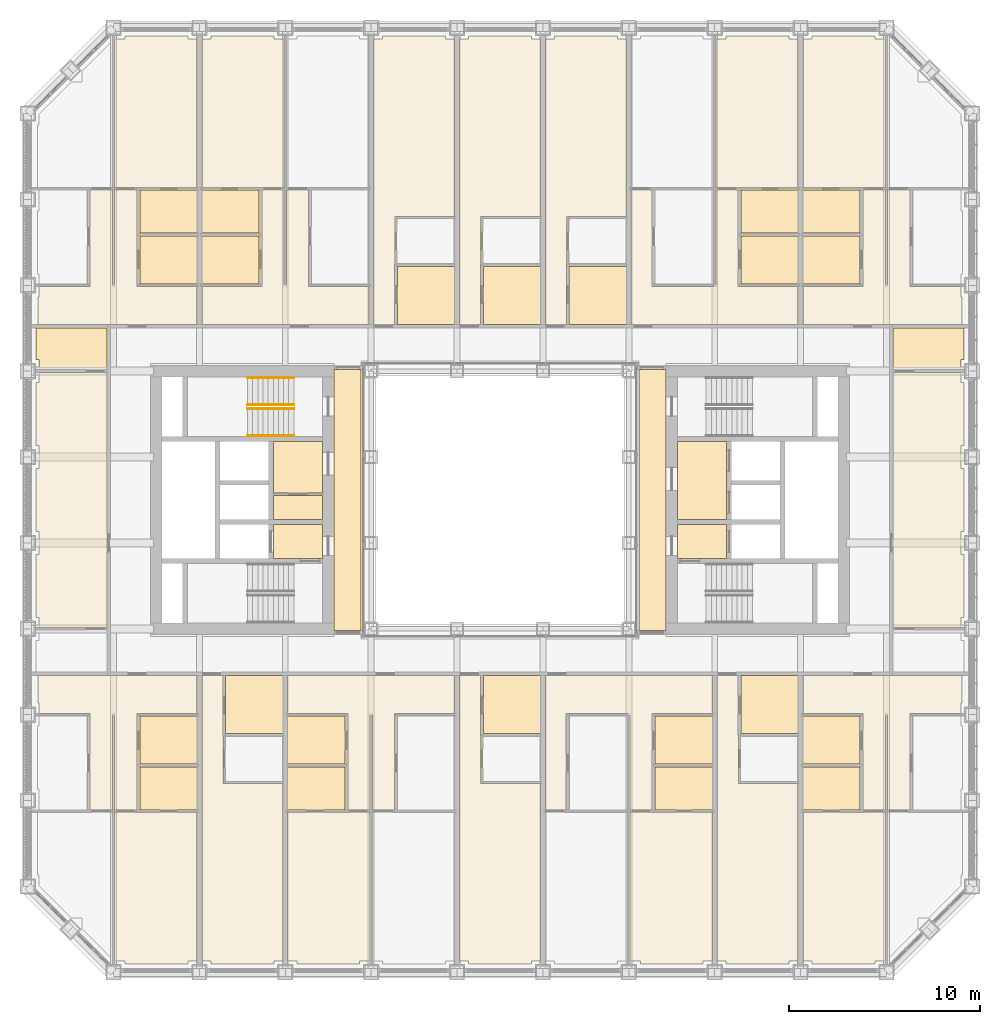
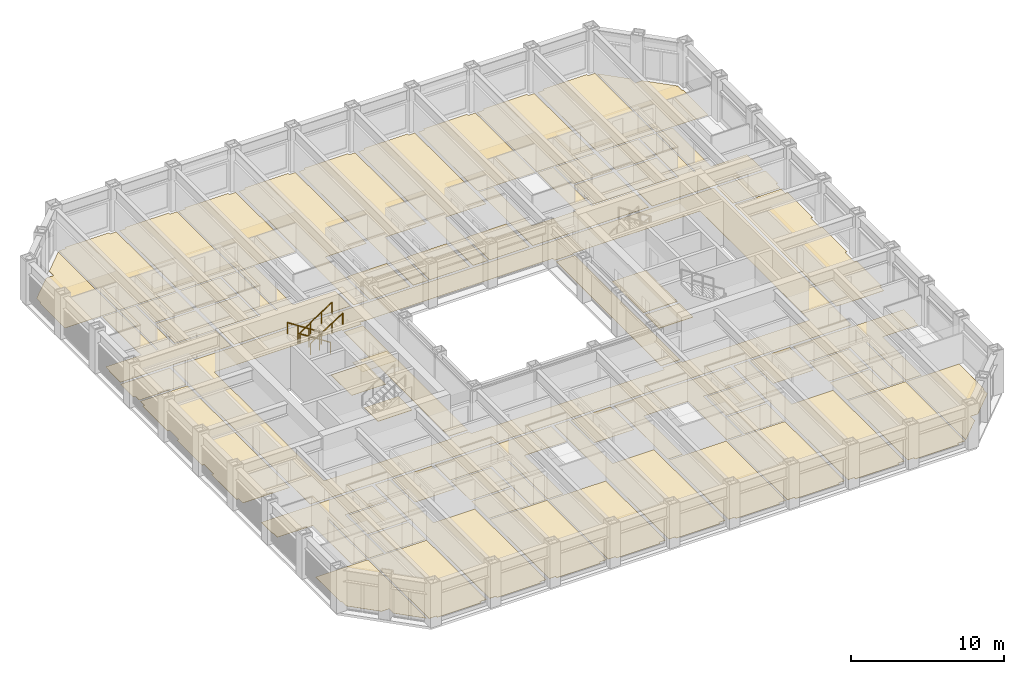
# One storey, part 18 of 21: 5 coverings, 4 railings.
"""IFC4 building model written with IfcOpenShell, lengths in metres."""

from ifc_helpers import new_model, si_unit, direction, frame, origin, origin_2d, place, context, subcontext, project, spatial, line, indexed_curve, circle, outline, extrude, material, layer, layer_set, type_object, element, save


model = new_model("IFC4")

# Units and contexts
model_context = context("Model", 3, precision=1e-05, world=origin(), true_north=direction((0.0, 1.0)))
body_context = subcontext(model_context, "Body", "Model", "MODEL_VIEW")
ifc_project = project(units=[si_unit("LENGTHUNIT", "METRE"), si_unit("AREAUNIT", "SQUARE_METRE"), si_unit("VOLUMEUNIT", "CUBIC_METRE"), si_unit("PLANEANGLEUNIT", "RADIAN"), si_unit("MASSUNIT", "GRAM", prefix="KILO")], contexts=[model_context])

# Site, building, storey
site_placement = place(None, origin())
site = spatial("IfcSite", under=ifc_project, at=site_placement, CompositionType="ELEMENT")
building_placement = place(site_placement, origin())
building = spatial("IfcBuilding", under=site, at=building_placement, Name="Msasa Ring Tower", CompositionType="ELEMENT")
storey_placement = place(building_placement, frame((0.0, 0.0, 44.0)))
storey = spatial("IfcBuildingStorey", under=building, at=storey_placement, Name="L10", CompositionType="ELEMENT", Elevation=44.0)

# Coverings
ifc_material_1 = material(Name="Mineral fibre ceiling tiles on an exposed steel grid", Category="steel")
ifc_layer_1 = layer(ifc_material_1, 0.02001953125)
ifc_layer_set_1 = layer_set([ifc_layer_1], Name="C3 ACOUSTIC MINERAL FIBRE TILE CEILING 20")
covering_type_1 = type_object("IfcCoveringType", Name="C3 ACOUSTIC MINERAL FIBRE TILE CEILING 20", PredefinedType="CEILING", material=ifc_layer_set_1)
covering_1_placement = place(storey_placement, frame((0.0, 0.0, 2.699951171875)))
element("IfcCovering", 1, at=covering_1_placement, inside=storey, type_object=covering_type_1, Name="Acoustic Mineral Fibre Tile Ceiling 20 L10", PredefinedType="CEILING", context=body_context, shape_type="SweptSolid", body=[
    extrude(outline(indexed_curve([(-11.87451171875, 0.244384765625), (-9.300537109375, 0.244384765625), (-9.300537109375, -1.0244140625), (-11.87451171875, -1.0244140625)], segments=[line(1, 2, 3, 4, 1)], self_intersect=False)), origin(), (0.0, 0.0, 1.0), 0.02001953125),
])
ifc_material_2 = material(Name="Honed granite tiles on a mortar bed", Category="masonry")
ifc_layer_2 = layer(ifc_material_2, 0.030029296875)
ifc_layer_set_2 = layer_set([ifc_layer_2], Name="F1 HONED GRANITE ON BEDDING 30")
covering_type_2 = type_object("IfcCoveringType", Name="F1 HONED GRANITE ON BEDDING 30", PredefinedType="FLOORING", material=ifc_layer_set_2)
covering_2_placement = place(storey_placement, origin())
element("IfcCovering", 2, at=covering_2_placement, inside=storey, type_object=covering_type_2, Name="Honed Granite On Bedding 30 L10", PredefinedType="FLOORING", context=body_context, shape_type="SweptSolid", body=[
    extrude(outline(indexed_curve([(-11.87451171875, -3.074462890625), (-11.87451171875, -1.275390625), (-9.300537109375, -1.275390625), (-9.300537109375, -3.074462890625)], segments=[line(1, 2, 3, 4, 1)], self_intersect=False)), origin(), (0.0, 0.0, 1.0), 0.030029296875),
    extrude(outline(indexed_curve([(-8.699462890625, -6.849609375), (-8.699462890625, 6.849609375), (-7.280029296875, 6.849609375), (-7.280029296875, -6.849609375)], segments=[line(1, 2, 3, 4, 1)], self_intersect=False)), origin(), (0.0, 0.0, 1.0), 0.030029296875),
    extrude(outline(indexed_curve([(8.699462890625, 6.849609375), (8.699462890625, -6.849609375), (7.280029296875, -6.849609375), (7.280029296875, 6.849609375)], segments=[line(1, 2, 3, 4, 1)], self_intersect=False)), origin(), (0.0, 0.0, 1.0), 0.030029296875),
    extrude(outline(indexed_curve([(9.300537109375, -3.074462890625), (9.300537109375, -1.275390625), (11.87451171875, -1.275390625), (11.87451171875, -3.074462890625)], segments=[line(1, 2, 3, 4, 1)], self_intersect=False)), origin(), (0.0, 0.0, 1.0), 0.030029296875),
    extrude(outline(indexed_curve([(9.300537109375, 3.074462890625), (11.87451171875, 3.074462890625), (11.87451171875, -1.0244140625), (9.300537109375, -1.0244140625)], segments=[line(1, 2, 3, 4, 1)], self_intersect=False)), origin(), (0.0, 0.0, 1.0), 0.030029296875),
])
ifc_material_3 = material(Name="Wool-blend carpet on felt underlay", Category="textile")
ifc_layer_3 = layer(ifc_material_3, 0.011962890625)
ifc_layer_set_3 = layer_set([ifc_layer_3], Name="F2 CARPET ON UNDERLAY 12")
covering_type_3 = type_object("IfcCoveringType", Name="F2 CARPET ON UNDERLAY 12", PredefinedType="FLOORING", material=ifc_layer_set_3)
covering_3_placement = place(storey_placement, origin())
element("IfcCovering", 3, at=covering_3_placement, inside=storey, type_object=covering_type_3, Name="Carpet On Underlay 12 L10", PredefinedType="FLOORING", context=body_context, shape_type="SweptSolid", body=[
    extrude(outline(indexed_curve([(-20.310546875, -24.052490234375), (-21.8994140625, -22.46337890625), (-21.8994140625, -21.8994140625), (-22.46337890625, -21.8994140625), (-24.1494140625, -20.21337890625), (-24.1494140625, -19.6494140625), (-24.239501953125, -19.6494140625), (-24.239501953125, -16.35546875), (-20.310546875, -16.35546875)], segments=[line(1, 2, 3, 4, 5, 6, 7, 8, 9, 1)], self_intersect=False)), origin(), (0.0, 0.0, 1.0), 0.011962890625),
    extrude(outline(indexed_curve([(-22.46337890625, 21.8994140625), (-21.8994140625, 21.8994140625), (-21.8994140625, 22.46337890625), (-20.310546875, 24.052490234375), (-20.310546875, 16.35546875), (-24.239501953125, 16.35546875), (-24.239501953125, 19.6494140625), (-24.1494140625, 19.6494140625), (-24.1494140625, 20.21337890625)], segments=[line(1, 2, 3, 4, 5, 6, 7, 8, 9, 1)], self_intersect=False)), origin(), (0.0, 0.0, 1.0), 0.011962890625),
    extrude(outline(indexed_curve([(-20.3994140625, 8.99951171875), (20.3994140625, 8.99951171875), (20.3994140625, -8.99951171875), (-20.3994140625, -8.99951171875)], segments=[line(1, 2, 3, 4, 1)], self_intersect=False), holes=[indexed_curve([(8.699462890625, -7.150390625), (18.300537109375, -7.150390625), (18.300537109375, 7.150390625), (8.699462890625, 7.150390625), (8.699462890625, 7.050537109375), (7.280029296875, 7.050537109375), (7.275390625, 7.275390625), (7.22998046875, 7.280029296875), (-7.22998046875, 7.280029296875), (-7.275390625, 7.275390625), (-7.280029296875, 7.050537109375), (-8.699462890625, 7.050537109375), (-8.699462890625, 7.150390625), (-18.300537109375, 7.150390625), (-18.300537109375, -7.150390625), (-8.699462890625, -7.150390625), (-8.699462890625, -7.050537109375), (-7.280029296875, -7.050537109375), (-7.275390625, -7.275390625), (-7.22998046875, -7.280029296875), (7.22998046875, -7.280029296875), (7.275390625, -7.275390625), (7.280029296875, -7.050537109375), (8.699462890625, -7.050537109375)], segments=[line(1, 2, 3, 4, 5, 6, 7, 8, 9, 10, 11, 12, 13, 14, 15, 16, 17, 18, 19, 20, 21, 22, 23, 24, 1)], self_intersect=False)]), origin(), (0.0, 0.0, 1.0), 0.011962890625),
    extrude(outline(indexed_curve([(-15.87548828125, -13.98046875), (-15.87548828125, -16.244384765625), (-18.869384765625, -16.244384765625), (-18.869384765625, -13.98046875)], segments=[line(1, 2, 3, 4, 1)], self_intersect=False)), origin(), (0.0, 0.0, 1.0), 0.011962890625),
    extrude(outline(indexed_curve([(-15.87548828125, 16.244384765625), (-15.87548828125, 13.98046875), (-18.869384765625, 13.98046875), (-18.869384765625, 16.244384765625)], segments=[line(1, 2, 3, 4, 1)], self_intersect=False)), origin(), (0.0, 0.0, 1.0), 0.011962890625),
    extrude(outline(indexed_curve([(-12.630615234375, 16.244384765625), (-12.630615234375, 13.98046875), (-15.62451171875, 13.98046875), (-15.62451171875, 16.244384765625)], segments=[line(1, 2, 3, 4, 1)], self_intersect=False)), origin(), (0.0, 0.0, 1.0), 0.011962890625),
    extrude(outline(indexed_curve([(-9.300537109375, 3.074462890625), (-9.300537109375, 0.35546875), (-11.87451171875, 0.35546875), (-11.87451171875, 3.074462890625)], segments=[line(1, 2, 3, 4, 1)], self_intersect=False)), origin(), (0.0, 0.0, 1.0), 0.011962890625),
    extrude(outline(indexed_curve([(-7.3505859375, 24.299560546875), (-7.3505859375, 24.1494140625), (-6.87548828125, 24.1494140625), (-6.87548828125, 16.35546875), (-11.189453125, 16.35546875), (-11.189453125, 24.1494140625), (-10.6494140625, 24.1494140625), (-10.6494140625, 24.299560546875)], segments=[line(1, 2, 3, 4, 5, 6, 7, 8, 1)], self_intersect=False)), origin(), (0.0, 0.0, 1.0), 0.011962890625),
    extrude(outline(indexed_curve([(-8.130615234375, -13.98046875), (-8.130615234375, -16.244384765625), (-11.12451171875, -16.244384765625), (-11.12451171875, -13.98046875)], segments=[line(1, 2, 3, 4, 1)], self_intersect=False)), origin(), (0.0, 0.0, 1.0), 0.011962890625),
    extrude(outline(indexed_curve([(-6.1494140625, -24.299560546875), (-6.1494140625, -24.1494140625), (-6.689453125, -24.1494140625), (-6.689453125, -16.35546875), (-2.37548828125, -16.35546875), (-2.37548828125, -24.1494140625), (-2.8505859375, -24.1494140625), (-2.8505859375, -24.299560546875)], segments=[line(1, 2, 3, 4, 5, 6, 7, 8, 1)], self_intersect=False)), origin(), (0.0, 0.0, 1.0), 0.011962890625),
    extrude(outline(indexed_curve([(6.689453125, -24.1494140625), (6.1494140625, -24.1494140625), (6.1494140625, -24.299560546875), (2.8505859375, -24.299560546875), (2.8505859375, -24.1494140625), (2.37548828125, -24.1494140625), (2.37548828125, -16.35546875), (6.689453125, -16.35546875)], segments=[line(1, 2, 3, 4, 5, 6, 7, 8, 1)], self_intersect=False)), origin(), (0.0, 0.0, 1.0), 0.011962890625),
    extrude(outline(indexed_curve([(10.6494140625, 24.299560546875), (10.6494140625, 24.1494140625), (11.189453125, 24.1494140625), (11.189453125, 16.35546875), (6.87548828125, 16.35546875), (6.87548828125, 24.1494140625), (7.3505859375, 24.1494140625), (7.3505859375, 24.299560546875)], segments=[line(1, 2, 3, 4, 5, 6, 7, 8, 1)], self_intersect=False)), origin(), (0.0, 0.0, 1.0), 0.011962890625),
    extrude(outline(indexed_curve([(11.12451171875, -13.98046875), (11.12451171875, -16.244384765625), (8.130615234375, -16.244384765625), (8.130615234375, -13.98046875)], segments=[line(1, 2, 3, 4, 1)], self_intersect=False)), origin(), (0.0, 0.0, 1.0), 0.011962890625),
    extrude(outline(indexed_curve([(15.62451171875, 16.244384765625), (15.62451171875, 13.98046875), (12.630615234375, 13.98046875), (12.630615234375, 16.244384765625)], segments=[line(1, 2, 3, 4, 1)], self_intersect=False)), origin(), (0.0, 0.0, 1.0), 0.011962890625),
    extrude(outline(indexed_curve([(18.869384765625, -13.98046875), (18.869384765625, -16.244384765625), (15.87548828125, -16.244384765625), (15.87548828125, -13.98046875)], segments=[line(1, 2, 3, 4, 1)], self_intersect=False)), origin(), (0.0, 0.0, 1.0), 0.011962890625),
    extrude(outline(indexed_curve([(18.869384765625, 16.244384765625), (18.869384765625, 13.98046875), (15.87548828125, 13.98046875), (15.87548828125, 16.244384765625)], segments=[line(1, 2, 3, 4, 1)], self_intersect=False)), origin(), (0.0, 0.0, 1.0), 0.011962890625),
    extrude(outline(indexed_curve([(24.239501953125, -19.6494140625), (24.1494140625, -19.6494140625), (24.1494140625, -20.21337890625), (22.46337890625, -21.8994140625), (21.8994140625, -21.8994140625), (21.8994140625, -22.46337890625), (20.310546875, -24.052490234375), (20.310546875, -16.35546875), (24.239501953125, -16.35546875)], segments=[line(1, 2, 3, 4, 5, 6, 7, 8, 9, 1)], self_intersect=False)), origin(), (0.0, 0.0, 1.0), 0.011962890625),
    extrude(outline(indexed_curve([(21.8994140625, 22.46337890625), (21.8994140625, 21.8994140625), (22.46337890625, 21.8994140625), (24.1494140625, 20.21337890625), (24.1494140625, 19.6494140625), (24.239501953125, 19.6494140625), (24.239501953125, 16.35546875), (20.310546875, 16.35546875), (20.310546875, 24.052490234375)], segments=[line(1, 2, 3, 4, 5, 6, 7, 8, 9, 1)], self_intersect=False)), origin(), (0.0, 0.0, 1.0), 0.011962890625),
])
ifc_material_4 = material(Name="Engineered oak boards on an acoustic underlay", Category="wood")
ifc_layer_4 = layer(ifc_material_4, 0.01806640625)
ifc_layer_set_4 = layer_set([ifc_layer_4], Name="F3 ENGINEERED TIMBER ON ACOUSTIC UNDERLAY 18")
covering_type_4 = type_object("IfcCoveringType", Name="F3 ENGINEERED TIMBER ON ACOUSTIC UNDERLAY 18", PredefinedType="FLOORING", material=ifc_layer_set_4)
covering_4_placement = place(storey_placement, origin())
element("IfcCovering", 4, at=covering_4_placement, inside=storey, type_object=covering_type_4, Name="Engineered Timber On Acoustic Underlay 18 L10", PredefinedType="FLOORING", context=body_context, shape_type="SweptSolid", body=[
    extrude(outline(indexed_curve([(-24.1494140625, -6.694580078125), (-24.1494140625, -6.1494140625), (-24.299560546875, -6.1494140625), (-24.299560546875, -2.8505859375), (-24.1494140625, -2.8505859375), (-24.1494140625, -1.6494140625), (-24.299560546875, -1.6494140625), (-24.299560546875, 1.6494140625), (-24.1494140625, 1.6494140625), (-24.1494140625, 2.8505859375), (-24.299560546875, 2.8505859375), (-24.299560546875, 6.1494140625), (-24.1494140625, 6.1494140625), (-24.1494140625, 6.66943359375), (-20.6005859375, 6.66943359375), (-20.6005859375, -6.694580078125)], segments=[line(1, 2, 3, 4, 5, 6, 7, 8, 9, 10, 11, 12, 13, 14, 15, 16, 1)], self_intersect=False)), origin(), (0.0, 0.0, 1.0), 0.01806640625),
    extrude(outline(indexed_curve([(-20.310546875, -16.244384765625), (-21.469482421875, -16.244384765625), (-21.469482421875, -11.199462890625), (-24.1494140625, -11.199462890625), (-24.1494140625, -10.6494140625), (-24.199462890625, -10.6494140625), (-24.199462890625, -9.200439453125), (-15.87548828125, -9.200439453125), (-15.87548828125, -11.199462890625), (-19.030517578125, -11.199462890625), (-19.030517578125, -16.244384765625), (-20.189453125, -16.244384765625), (-20.189453125, -11.199462890625), (-20.310546875, -11.199462890625)], segments=[line(1, 2, 3, 4, 5, 6, 7, 8, 9, 10, 11, 12, 13, 14, 1)], self_intersect=False)), origin(), (0.0, 0.0, 1.0), 0.01806640625),
    extrude(outline(indexed_curve([(-20.189453125, 16.244384765625), (-19.030517578125, 16.244384765625), (-19.030517578125, 11.199462890625), (-15.87548828125, 11.199462890625), (-15.87548828125, 9.200439453125), (-24.199462890625, 9.200439453125), (-24.199462890625, 10.6494140625), (-24.1494140625, 10.6494140625), (-24.1494140625, 11.199462890625), (-21.469482421875, 11.199462890625), (-21.469482421875, 16.244384765625), (-20.310546875, 16.244384765625), (-20.310546875, 11.199462890625), (-20.189453125, 11.199462890625)], segments=[line(1, 2, 3, 4, 5, 6, 7, 8, 9, 10, 11, 12, 13, 14, 1)], self_intersect=False)), origin(), (0.0, 0.0, 1.0), 0.01806640625),
    extrude(outline(indexed_curve([(-15.87548828125, -16.35546875), (-15.87548828125, -24.1494140625), (-16.3505859375, -24.1494140625), (-16.3505859375, -24.299560546875), (-19.6494140625, -24.299560546875), (-19.6494140625, -24.1494140625), (-20.189453125, -24.1494140625), (-20.189453125, -16.35546875)], segments=[line(1, 2, 3, 4, 5, 6, 7, 8, 1)], self_intersect=False)), origin(), (0.0, 0.0, 1.0), 0.01806640625),
    extrude(outline(indexed_curve([(-20.189453125, 24.1494140625), (-19.6494140625, 24.1494140625), (-19.6494140625, 24.299560546875), (-16.3505859375, 24.299560546875), (-16.3505859375, 24.1494140625), (-15.87548828125, 24.1494140625), (-15.87548828125, 16.35546875), (-20.189453125, 16.35546875)], segments=[line(1, 2, 3, 4, 5, 6, 7, 8, 1)], self_intersect=False)), origin(), (0.0, 0.0, 1.0), 0.01806640625),
    extrude(outline(indexed_curve([(-14.525390625, -9.200439453125), (-14.525390625, -12.35009765625), (-14.50048828125, -12.35009765625), (-14.50048828125, -14.8505859375), (-11.37548828125, -14.8505859375), (-11.37548828125, -24.1494140625), (-11.8505859375, -24.1494140625), (-11.8505859375, -24.299560546875), (-15.1494140625, -24.299560546875), (-15.1494140625, -24.1494140625), (-15.62451171875, -24.1494140625), (-15.62451171875, -9.200439453125)], segments=[line(1, 2, 3, 4, 5, 6, 7, 8, 9, 10, 11, 12, 1)], self_intersect=False)), origin(), (0.0, 0.0, 1.0), 0.01806640625),
    extrude(outline(indexed_curve([(-11.189453125, 16.244384765625), (-10.030517578125, 16.244384765625), (-10.030517578125, 11.199462890625), (-6.87548828125, 11.199462890625), (-6.87548828125, 9.200439453125), (-15.62451171875, 9.200439453125), (-15.62451171875, 11.199462890625), (-12.469482421875, 11.199462890625), (-12.469482421875, 16.244384765625), (-11.310546875, 16.244384765625), (-11.310546875, 11.199462890625), (-11.189453125, 11.199462890625)], segments=[line(1, 2, 3, 4, 5, 6, 7, 8, 9, 10, 11, 12, 1)], self_intersect=False)), origin(), (0.0, 0.0, 1.0), 0.01806640625),
    extrude(outline(indexed_curve([(-11.8505859375, 24.299560546875), (-11.8505859375, 24.1494140625), (-11.310546875, 24.1494140625), (-11.310546875, 16.35546875), (-15.62451171875, 16.35546875), (-15.62451171875, 24.1494140625), (-15.1494140625, 24.1494140625), (-15.1494140625, 24.299560546875)], segments=[line(1, 2, 3, 4, 5, 6, 7, 8, 1)], self_intersect=False)), origin(), (0.0, 0.0, 1.0), 0.01806640625),
    extrude(outline(indexed_curve([(-10.6494140625, -24.299560546875), (-10.6494140625, -24.1494140625), (-11.12451171875, -24.1494140625), (-11.12451171875, -16.35546875), (-6.810546875, -16.35546875), (-6.810546875, -24.1494140625), (-7.3505859375, -24.1494140625), (-7.3505859375, -24.299560546875)], segments=[line(1, 2, 3, 4, 5, 6, 7, 8, 1)], self_intersect=False)), origin(), (0.0, 0.0, 1.0), 0.01806640625),
    extrude(outline(indexed_curve([(-6.810546875, -16.244384765625), (-7.969482421875, -16.244384765625), (-7.969482421875, -11.199462890625), (-11.12451171875, -11.199462890625), (-11.12451171875, -9.200439453125), (-2.37548828125, -9.200439453125), (-2.37548828125, -11.199462890625), (-5.530517578125, -11.199462890625), (-5.530517578125, -16.244384765625), (-6.689453125, -16.244384765625), (-6.689453125, -11.199462890625), (-6.810546875, -11.199462890625)], segments=[line(1, 2, 3, 4, 5, 6, 7, 8, 9, 10, 11, 12, 1)], self_intersect=False)), origin(), (0.0, 0.0, 1.0), 0.01806640625),
    extrude(outline(indexed_curve([(-2.8505859375, 24.299560546875), (-2.8505859375, 24.1494140625), (-2.37548828125, 24.1494140625), (-2.37548828125, 14.8505859375), (-5.50048828125, 14.8505859375), (-5.50048828125, 12.35009765625), (-5.525390625, 12.35009765625), (-5.525390625, 9.200439453125), (-6.62451171875, 9.200439453125), (-6.62451171875, 24.1494140625), (-6.1494140625, 24.1494140625), (-6.1494140625, 24.299560546875)], segments=[line(1, 2, 3, 4, 5, 6, 7, 8, 9, 10, 11, 12, 1)], self_intersect=False)), origin(), (0.0, 0.0, 1.0), 0.01806640625),
    extrude(outline(indexed_curve([(-1.025390625, -9.200439453125), (-1.025390625, -12.35009765625), (-1.00048828125, -12.35009765625), (-1.00048828125, -14.8505859375), (2.12451171875, -14.8505859375), (2.12451171875, -24.1494140625), (1.6494140625, -24.1494140625), (1.6494140625, -24.299560546875), (-1.6494140625, -24.299560546875), (-1.6494140625, -24.1494140625), (-2.12451171875, -24.1494140625), (-2.12451171875, -9.200439453125)], segments=[line(1, 2, 3, 4, 5, 6, 7, 8, 9, 10, 11, 12, 1)], self_intersect=False)), origin(), (0.0, 0.0, 1.0), 0.01806640625),
    extrude(outline(indexed_curve([(1.6494140625, 24.299560546875), (1.6494140625, 24.1494140625), (2.12451171875, 24.1494140625), (2.12451171875, 14.8505859375), (-1.00048828125, 14.8505859375), (-1.00048828125, 12.35009765625), (-1.025390625, 12.35009765625), (-1.025390625, 9.200439453125), (-2.12451171875, 9.200439453125), (-2.12451171875, 24.1494140625), (-1.6494140625, 24.1494140625), (-1.6494140625, 24.299560546875)], segments=[line(1, 2, 3, 4, 5, 6, 7, 8, 9, 10, 11, 12, 1)], self_intersect=False)), origin(), (0.0, 0.0, 1.0), 0.01806640625),
    extrude(outline(indexed_curve([(3.469482421875, -16.244384765625), (2.37548828125, -16.244384765625), (2.37548828125, -9.200439453125), (11.12451171875, -9.200439453125), (11.12451171875, -11.199462890625), (7.969482421875, -11.199462890625), (7.969482421875, -16.244384765625), (6.810546875, -16.244384765625), (6.810546875, -11.199462890625), (3.469482421875, -11.199462890625)], segments=[line(1, 2, 3, 4, 5, 6, 7, 8, 9, 10, 1)], self_intersect=False)), origin(), (0.0, 0.0, 1.0), 0.01806640625),
    extrude(outline(indexed_curve([(6.1494140625, 24.299560546875), (6.1494140625, 24.1494140625), (6.62451171875, 24.1494140625), (6.62451171875, 14.8505859375), (3.49951171875, 14.8505859375), (3.49951171875, 12.35009765625), (3.474609375, 12.35009765625), (3.474609375, 9.200439453125), (2.37548828125, 9.200439453125), (2.37548828125, 24.1494140625), (2.8505859375, 24.1494140625), (2.8505859375, 24.299560546875)], segments=[line(1, 2, 3, 4, 5, 6, 7, 8, 9, 10, 11, 12, 1)], self_intersect=False)), origin(), (0.0, 0.0, 1.0), 0.01806640625),
    extrude(outline(indexed_curve([(7.3505859375, -24.299560546875), (7.3505859375, -24.1494140625), (6.810546875, -24.1494140625), (6.810546875, -16.35546875), (11.12451171875, -16.35546875), (11.12451171875, -24.1494140625), (10.6494140625, -24.1494140625), (10.6494140625, -24.299560546875)], segments=[line(1, 2, 3, 4, 5, 6, 7, 8, 1)], self_intersect=False)), origin(), (0.0, 0.0, 1.0), 0.01806640625),
    extrude(outline(indexed_curve([(11.310546875, 11.199462890625), (11.310546875, 16.244384765625), (12.469482421875, 16.244384765625), (12.469482421875, 11.199462890625), (15.62451171875, 11.199462890625), (15.62451171875, 9.200439453125), (6.87548828125, 9.200439453125), (6.87548828125, 16.244384765625), (7.969482421875, 16.244384765625), (7.969482421875, 11.199462890625)], segments=[line(1, 2, 3, 4, 5, 6, 7, 8, 9, 10, 1)], self_intersect=False)), origin(), (0.0, 0.0, 1.0), 0.01806640625),
    extrude(outline(indexed_curve([(15.1494140625, 24.299560546875), (15.1494140625, 24.1494140625), (15.62451171875, 24.1494140625), (15.62451171875, 16.35546875), (11.310546875, 16.35546875), (11.310546875, 24.1494140625), (11.8505859375, 24.1494140625), (11.8505859375, 24.299560546875)], segments=[line(1, 2, 3, 4, 5, 6, 7, 8, 1)], self_intersect=False)), origin(), (0.0, 0.0, 1.0), 0.01806640625),
    extrude(outline(indexed_curve([(12.474609375, -9.200439453125), (12.474609375, -12.35009765625), (12.49951171875, -12.35009765625), (12.49951171875, -14.8505859375), (15.62451171875, -14.8505859375), (15.62451171875, -24.1494140625), (15.1494140625, -24.1494140625), (15.1494140625, -24.299560546875), (11.8505859375, -24.299560546875), (11.8505859375, -24.1494140625), (11.37548828125, -24.1494140625), (11.37548828125, -9.200439453125)], segments=[line(1, 2, 3, 4, 5, 6, 7, 8, 9, 10, 11, 12, 1)], self_intersect=False)), origin(), (0.0, 0.0, 1.0), 0.01806640625),
    extrude(outline(indexed_curve([(20.189453125, -24.1494140625), (19.6494140625, -24.1494140625), (19.6494140625, -24.299560546875), (16.3505859375, -24.299560546875), (16.3505859375, -24.1494140625), (15.87548828125, -24.1494140625), (15.87548828125, -16.35546875), (20.189453125, -16.35546875)], segments=[line(1, 2, 3, 4, 5, 6, 7, 8, 1)], self_intersect=False)), origin(), (0.0, 0.0, 1.0), 0.01806640625),
    extrude(outline(indexed_curve([(20.189453125, -16.244384765625), (19.030517578125, -16.244384765625), (19.030517578125, -11.199462890625), (15.87548828125, -11.199462890625), (15.87548828125, -9.200439453125), (24.199462890625, -9.200439453125), (24.199462890625, -10.6494140625), (24.1494140625, -10.6494140625), (24.1494140625, -11.199462890625), (21.469482421875, -11.199462890625), (21.469482421875, -16.244384765625), (20.310546875, -16.244384765625), (20.310546875, -11.199462890625), (20.189453125, -11.199462890625)], segments=[line(1, 2, 3, 4, 5, 6, 7, 8, 9, 10, 11, 12, 13, 14, 1)], self_intersect=False)), origin(), (0.0, 0.0, 1.0), 0.01806640625),
    extrude(outline(indexed_curve([(20.310546875, 16.244384765625), (21.469482421875, 16.244384765625), (21.469482421875, 11.199462890625), (24.1494140625, 11.199462890625), (24.1494140625, 10.6494140625), (24.199462890625, 10.6494140625), (24.199462890625, 9.200439453125), (15.87548828125, 9.200439453125), (15.87548828125, 11.199462890625), (19.030517578125, 11.199462890625), (19.030517578125, 16.244384765625), (20.189453125, 16.244384765625), (20.189453125, 11.199462890625), (20.310546875, 11.199462890625)], segments=[line(1, 2, 3, 4, 5, 6, 7, 8, 9, 10, 11, 12, 13, 14, 1)], self_intersect=False)), origin(), (0.0, 0.0, 1.0), 0.01806640625),
    extrude(outline(indexed_curve([(19.6494140625, 24.299560546875), (19.6494140625, 24.1494140625), (20.189453125, 24.1494140625), (20.189453125, 16.35546875), (15.87548828125, 16.35546875), (15.87548828125, 24.1494140625), (16.3505859375, 24.1494140625), (16.3505859375, 24.299560546875)], segments=[line(1, 2, 3, 4, 5, 6, 7, 8, 1)], self_intersect=False)), origin(), (0.0, 0.0, 1.0), 0.01806640625),
    extrude(outline(indexed_curve([(24.1494140625, 6.66943359375), (24.1494140625, 6.1494140625), (24.299560546875, 6.1494140625), (24.299560546875, 2.8505859375), (24.1494140625, 2.8505859375), (24.1494140625, 1.6494140625), (24.299560546875, 1.6494140625), (24.299560546875, -1.6494140625), (24.1494140625, -1.6494140625), (24.1494140625, -2.8505859375), (24.299560546875, -2.8505859375), (24.299560546875, -6.1494140625), (24.1494140625, -6.1494140625), (24.1494140625, -6.694580078125), (20.6005859375, -6.694580078125), (20.6005859375, 6.66943359375)], segments=[line(1, 2, 3, 4, 5, 6, 7, 8, 9, 10, 11, 12, 13, 14, 15, 16, 1)], self_intersect=False)), origin(), (0.0, 0.0, 1.0), 0.01806640625),
])
ifc_material_5 = material(Name="Porcelain floor tiles in adhesive", Category="ceramic")
ifc_layer_5 = layer(ifc_material_5, 0.010009765625)
ifc_layer_set_5 = layer_set([ifc_layer_5], Name="F4 PORCELAIN TILE ON ADHESIVE 10")
covering_type_5 = type_object("IfcCoveringType", Name="F4 PORCELAIN TILE ON ADHESIVE 10", PredefinedType="FLOORING", material=ifc_layer_set_5)
covering_5_placement = place(storey_placement, origin())
element("IfcCovering", 5, at=covering_5_placement, inside=storey, type_object=covering_type_5, Name="Porcelain Tile On Adhesive 10 L10", PredefinedType="FLOORING", context=body_context, shape_type="SweptSolid", body=[
    extrude(outline(indexed_curve([(-24.1494140625, 6.83056640625), (-24.1494140625, 7.3505859375), (-24.299560546875, 7.3505859375), (-24.299560546875, 8.99951171875), (-20.6005859375, 8.99951171875), (-20.6005859375, 6.83056640625)], segments=[line(1, 2, 3, 4, 5, 6, 1)], self_intersect=False)), origin(), (0.0, 0.0, 1.0), 0.010009765625),
    extrude(outline(indexed_curve([(-15.87548828125, -11.305419921875), (-15.87548828125, -13.819580078125), (-18.869384765625, -13.819580078125), (-18.869384765625, -11.305419921875)], segments=[line(1, 2, 3, 4, 1)], self_intersect=False)), origin(), (0.0, 0.0, 1.0), 0.010009765625),
    extrude(outline(indexed_curve([(-15.87548828125, 13.819580078125), (-15.87548828125, 11.305419921875), (-18.869384765625, 11.305419921875), (-18.869384765625, 13.819580078125)], segments=[line(1, 2, 3, 4, 1)], self_intersect=False)), origin(), (0.0, 0.0, 1.0), 0.010009765625),
    extrude(outline(indexed_curve([(-12.630615234375, 13.819580078125), (-12.630615234375, 11.305419921875), (-15.62451171875, 11.305419921875), (-15.62451171875, 13.819580078125)], segments=[line(1, 2, 3, 4, 1)], self_intersect=False)), origin(), (0.0, 0.0, 1.0), 0.010009765625),
    extrude(outline(indexed_curve([(-11.37548828125, -9.200439453125), (-11.37548828125, -12.224609375), (-14.37451171875, -12.224609375), (-14.37451171875, -9.200439453125)], segments=[line(1, 2, 3, 4, 1)], self_intersect=False)), origin(), (0.0, 0.0, 1.0), 0.010009765625),
    extrude(outline(indexed_curve([(-8.130615234375, -11.305419921875), (-8.130615234375, -13.819580078125), (-11.12451171875, -13.819580078125), (-11.12451171875, -11.305419921875)], segments=[line(1, 2, 3, 4, 1)], self_intersect=False)), origin(), (0.0, 0.0, 1.0), 0.010009765625),
    extrude(outline(indexed_curve([(-5.37451171875, 9.200439453125), (-5.37451171875, 12.224609375), (-2.37548828125, 12.224609375), (-2.37548828125, 9.200439453125)], segments=[line(1, 2, 3, 4, 1)], self_intersect=False)), origin(), (0.0, 0.0, 1.0), 0.010009765625),
    extrude(outline(indexed_curve([(2.12451171875, -9.200439453125), (2.12451171875, -12.224609375), (-0.87451171875, -12.224609375), (-0.87451171875, -9.200439453125)], segments=[line(1, 2, 3, 4, 1)], self_intersect=False)), origin(), (0.0, 0.0, 1.0), 0.010009765625),
    extrude(outline(indexed_curve([(-0.87451171875, 9.200439453125), (-0.87451171875, 12.224609375), (2.12451171875, 12.224609375), (2.12451171875, 9.200439453125)], segments=[line(1, 2, 3, 4, 1)], self_intersect=False)), origin(), (0.0, 0.0, 1.0), 0.010009765625),
    extrude(outline(indexed_curve([(3.62548828125, 9.200439453125), (3.62548828125, 12.224609375), (6.62451171875, 12.224609375), (6.62451171875, 9.200439453125)], segments=[line(1, 2, 3, 4, 1)], self_intersect=False)), origin(), (0.0, 0.0, 1.0), 0.010009765625),
    extrude(outline(indexed_curve([(11.12451171875, -11.305419921875), (11.12451171875, -13.819580078125), (8.130615234375, -13.819580078125), (8.130615234375, -11.305419921875)], segments=[line(1, 2, 3, 4, 1)], self_intersect=False)), origin(), (0.0, 0.0, 1.0), 0.010009765625),
    extrude(outline(indexed_curve([(15.62451171875, -9.200439453125), (15.62451171875, -12.224609375), (12.62548828125, -12.224609375), (12.62548828125, -9.200439453125)], segments=[line(1, 2, 3, 4, 1)], self_intersect=False)), origin(), (0.0, 0.0, 1.0), 0.010009765625),
    extrude(outline(indexed_curve([(15.62451171875, 13.819580078125), (15.62451171875, 11.305419921875), (12.630615234375, 11.305419921875), (12.630615234375, 13.819580078125)], segments=[line(1, 2, 3, 4, 1)], self_intersect=False)), origin(), (0.0, 0.0, 1.0), 0.010009765625),
    extrude(outline(indexed_curve([(18.869384765625, -11.305419921875), (18.869384765625, -13.819580078125), (15.87548828125, -13.819580078125), (15.87548828125, -11.305419921875)], segments=[line(1, 2, 3, 4, 1)], self_intersect=False)), origin(), (0.0, 0.0, 1.0), 0.010009765625),
    extrude(outline(indexed_curve([(18.869384765625, 13.819580078125), (18.869384765625, 11.305419921875), (15.87548828125, 11.305419921875), (15.87548828125, 13.819580078125)], segments=[line(1, 2, 3, 4, 1)], self_intersect=False)), origin(), (0.0, 0.0, 1.0), 0.010009765625),
    extrude(outline(indexed_curve([(20.6005859375, 8.99951171875), (24.299560546875, 8.99951171875), (24.299560546875, 7.3505859375), (24.1494140625, 7.3505859375), (24.1494140625, 6.83056640625), (20.6005859375, 6.83056640625)], segments=[line(1, 2, 3, 4, 5, 6, 1)], self_intersect=False)), origin(), (0.0, 0.0, 1.0), 0.010009765625),
])

# Railings
ifc_material_6 = material(Name="Stainless steel", Category="steel")
railing_type = type_object("IfcRailingType", Name="HR1 HANDRAIL 900", PredefinedType="HANDRAIL", material=ifc_material_6)
for number, where, name in (
    (6, (-10.800048828125, 5.0, 0.175048828125), "Handrail stair SWB L10 1"),
    (7, (-10.800048828125, 6.39990234375, 0.175048828125), "Handrail stair SWB L10 2"),
):
    element("IfcRailing", number, at=place(storey_placement, frame(where)), inside=storey, type_object=railing_type, Name=name, PredefinedType="HANDRAIL", context=body_context, shape_type="SweptSolid", body=[
        extrude(circle(Radius=0.02392578125, at=origin_2d()), frame((0.0, 0.0, 0.8759765625), z_axis=(-0.839153699163, 0.0, 0.543894354798), x_axis=(0.0, -1.0, 0.0)), (0.0, 0.0, 1.0), 2.895751953125),
        extrude(circle(Radius=0.02099609375, at=origin_2d()), origin(), (0.0, 0.0, 1.0), 0.851806640625),
        extrude(circle(Radius=0.02099609375, at=origin_2d()), frame((-0.81005859375, 0.0, 0.52490234375)), (0.0, 0.0, 1.0), 0.851806640625),
        extrude(circle(Radius=0.02099609375, at=origin_2d()), frame((-1.619873046875, 0.0, 1.050048828125)), (0.0, 0.0, 1.0), 0.851806640625),
        extrude(circle(Radius=0.02099609375, at=origin_2d()), frame((-2.429931640625, 0.0, 1.574951171875)), (0.0, 0.0, 1.0), 0.851806640625),
    ])
for number, where, name in (
    (8, (-13.22998046875, 3.375, 1.925048828125), "Handrail stair SWB L10 3"),
    (9, (-13.22998046875, 4.77490234375, 1.925048828125), "Handrail stair SWB L10 4"),
):
    element("IfcRailing", number, at=place(storey_placement, frame(where)), inside=storey, type_object=railing_type, Name=name, PredefinedType="HANDRAIL", context=body_context, shape_type="SweptSolid", body=[
        extrude(circle(Radius=0.02392578125, at=origin_2d()), frame((0.0, 0.0, 0.8759765625), z_axis=(0.839153699163, 0.0, 0.543894354798), x_axis=(0.0, 1.0, 0.0)), (0.0, 0.0, 1.0), 2.895751953125),
        extrude(circle(Radius=0.02099609375, at=origin_2d()), origin(), (0.0, 0.0, 1.0), 0.851806640625),
        extrude(circle(Radius=0.02099609375, at=origin_2d()), frame((0.81005859375, 0.0, 0.52490234375)), (0.0, 0.0, 1.0), 0.851806640625),
        extrude(circle(Radius=0.02099609375, at=origin_2d()), frame((1.619873046875, 0.0, 1.050048828125)), (0.0, 0.0, 1.0), 0.851806640625),
        extrude(circle(Radius=0.02099609375, at=origin_2d()), frame((2.429931640625, 0.0, 1.574951171875)), (0.0, 0.0, 1.0), 0.851806640625),
    ])

save(model, "model.ifc")
